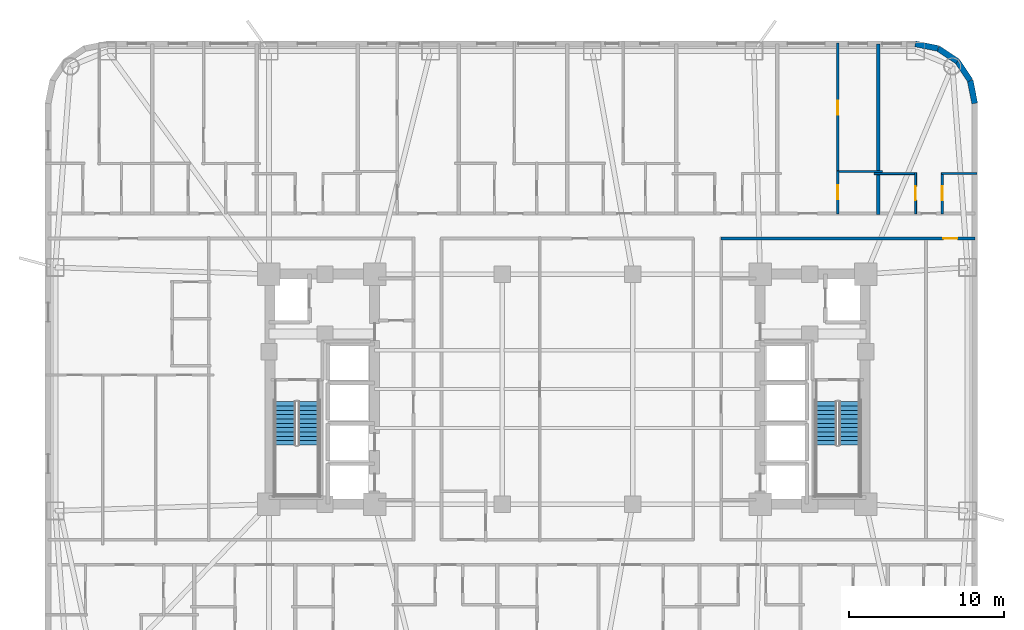
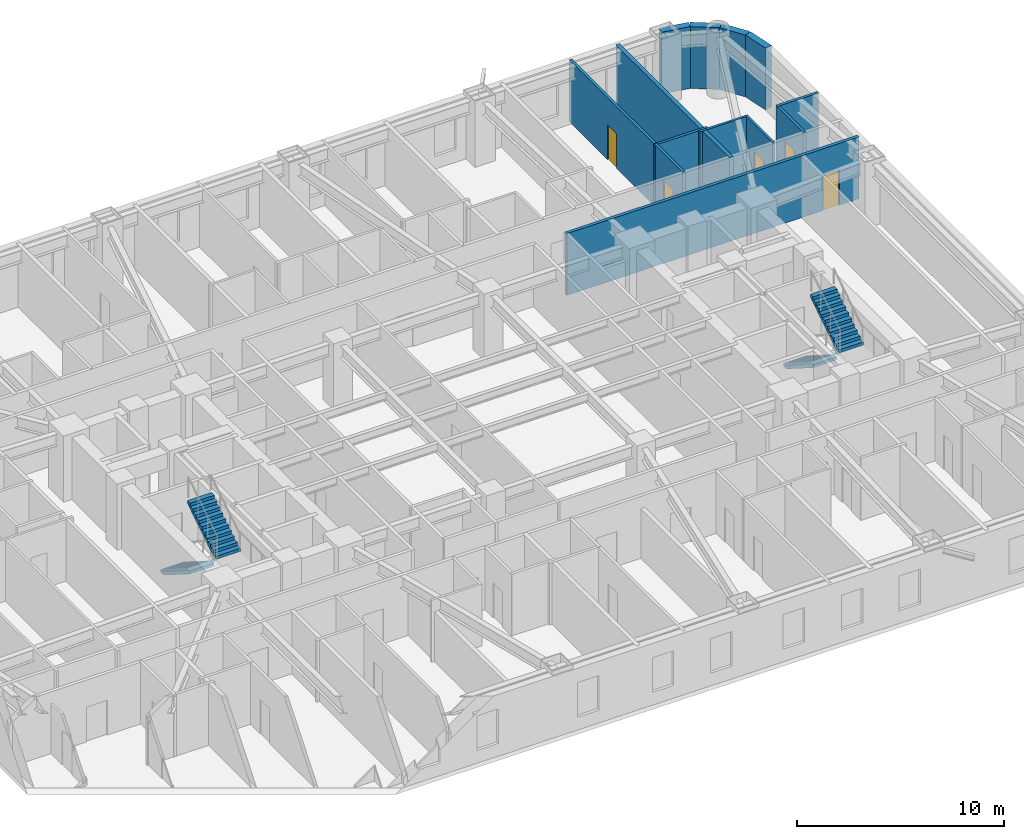
# One storey, part 9 of 11: 13 walls, 5 doors, 4 stair flights, 5 openings, 2 elements without a shape of their own.
"""IFC4 building model written with IfcOpenShell, lengths in metres."""

from ifc_helpers import new_model, si_unit, direction, frame, frame_2d, origin, place, context, subcontext, project, spatial, polyline, rectangle, outline, extrude, material, layer, layer_set, type_object, element, fill, aggregate, save


model = new_model("IFC4")

# Units and contexts
model_context = context("Model", 3, precision=1e-05, world=origin(), true_north=direction((0.0, 1.0)))
body_context = subcontext(model_context, "Body", "Model", "MODEL_VIEW")
ifc_project = project(units=[si_unit("LENGTHUNIT", "METRE"), si_unit("AREAUNIT", "SQUARE_METRE"), si_unit("VOLUMEUNIT", "CUBIC_METRE"), si_unit("PLANEANGLEUNIT", "RADIAN"), si_unit("MASSUNIT", "GRAM", prefix="KILO")], contexts=[model_context])

# Site, building, storey
site_placement = place(None, origin())
site = spatial("IfcSite", under=ifc_project, at=site_placement, CompositionType="ELEMENT")
building_placement = place(site_placement, origin())
building = spatial("IfcBuilding", under=site, at=building_placement, Name="Voryun Gate Residences", CompositionType="ELEMENT")
storey_placement = place(building_placement, frame((0.0, 0.0, 49.39990234375)))
storey = spatial("IfcBuildingStorey", under=building, at=storey_placement, Name="L11", CompositionType="ELEMENT", Elevation=49.39990234375)

# Wall, opening, door
ifc_material_1 = material(Name="Gypsum acoustic fireboard")
ifc_layer_1 = layer(ifc_material_1, 0.179931640625, Name="W_CORR_RATED_180")
ifc_layer_set_1 = layer_set([ifc_layer_1], Name="Gypsum acoustic fireboard")
wall_type_1 = type_object("IfcWallType", Name="W_CORR_RATED_180", PredefinedType="PARTITIONING", material=ifc_layer_set_1)
wall_1_placement = place(storey_placement, frame((9.8798828125, 9.68994140625, 0.0), z_axis=(0.0, 0.0, 1.0), x_axis=(1.0, 0.0, 0.0)))
wall_1 = element("IfcWall", 1, at=wall_1_placement, inside=storey, type_object=wall_type_1, Name="Partition wall WP-L11-CWING-EN", PredefinedType="PARTITIONING", context=body_context, shape_type="SweptSolid", body=[
    extrude(rectangle(XDim=16.330078125, YDim=0.179931640625, at=frame_2d((8.1650390625, 0.0))), origin(), (0.0, 0.0, 1.0), 3.650146484375),
])
opening_1_placement = place(wall_1_placement, frame((14.315673828125, 0.0, 0.0)))
opening_1 = element("IfcOpeningElement", 2, at=opening_1_placement, cuts=wall_1, Name="Opening D-INT-2", PredefinedType="OPENING", context=body_context, shape_type="SweptSolid", body=[
    extrude(rectangle(XDim=0.89990234375, YDim=2.050048828125, at=frame_2d((0.449951171875, 1.02490234375))), frame((0.0, 0.099853515625, 0.0), z_axis=(0.0, -1.0, 0.0), x_axis=(1.0, 0.0, 0.0)), (0.0, 0.0, 1.0), 0.199951171875),
])
ifc_material_2 = material(Name="Architectural oak veneer")
door_type = type_object("IfcDoorType", Name="DR_INT_BATH_900", OperationType="NOTDEFINED", PredefinedType="DOOR", material=ifc_material_2)
door_1_placement = place(opening_1_placement, origin())
door_1 = element("IfcDoor", 3, at=door_1_placement, inside=storey, type_object=door_type, Name="Door DR-L11-EE1N", OperationType="SINGLE_SWING_LEFT", OverallHeight=2.050048828125, OverallWidth=0.89990234375, PredefinedType="DOOR", context=body_context, shape_type="SweptSolid", body=[
    extrude(rectangle(XDim=0.89990234375, YDim=2.050048828125, at=frame_2d((0.449951171875, 1.02490234375))), frame((0.0, 0.02490234375, 0.0), z_axis=(0.0, -1.0, 0.0), x_axis=(1.0, 0.0, 0.0)), (0.0, 0.0, 1.0), 0.050048828125),
])
fill(opening_1, door_1)

# Walls
ifc_material_3 = material(Name="Granite masonry", Category="masonry")
ifc_layer_2 = layer(ifc_material_3, 0.3798828125, Name="W_EXT_GRANITE_380")
ifc_layer_set_2 = layer_set([ifc_layer_2], Name="Granite masonry")
wall_type_2 = type_object("IfcWallType", Name="W_EXT_GRANITE_380", PredefinedType="ELEMENTEDWALL", material=ifc_layer_set_2)
wall_2_placement = place(storey_placement, frame((22.38134765625, 22.2099609375, 0.0), z_axis=(0.0, 0.0, 1.0), x_axis=(0.980786132421, -0.195086038585, 0.0)))
element("IfcWall", 4, at=wall_2_placement, inside=storey, type_object=wall_type_2, Name="Exterior wall WEXT-L11-12", PredefinedType="ELEMENTEDWALL", context=body_context, shape_type="SweptSolid", body=[
    extrude(rectangle(XDim=1.504150390625, YDim=0.3798828125, at=frame_2d((0.751953125, 0.0))), origin(), (0.0, 0.0, 1.0), 3.650146484375),
])
for number, where, z_axis, x_axis, name in (
    (5, (23.856689453125, 21.91650390625, 0.0), (0.0, 0.0, 1.0), (0.831392092774, -0.555686231674, 0.0), "Exterior wall WEXT-L11-13"),
    (6, (25.09130859375, 21.09130859375, 0.0), (0.0, 0.0, 1.0), (0.555686231674, -0.831392092774, 0.0), "Exterior wall WEXT-L11-14"),
):
    element("IfcWall", number, at=place(storey_placement, frame(where, z_axis=z_axis, x_axis=x_axis)), inside=storey, type_object=wall_type_2, Name=name, PredefinedType="ELEMENTEDWALL", context=body_context, shape_type="SweptSolid", body=[
        extrude(rectangle(XDim=1.485107421875, YDim=0.3798828125, at=frame_2d((0.74267578125, 0.0))), origin(), (0.0, 0.0, 1.0), 3.650146484375),
    ])
wall_3_placement = place(storey_placement, frame((25.91650390625, 19.856689453125, 0.0), z_axis=(0.0, 0.0, 1.0), x_axis=(0.195086038585, -0.980786132421, 0.0)))
element("IfcWall", 7, at=wall_3_placement, inside=storey, type_object=wall_type_2, Name="Exterior wall WEXT-L11-15", PredefinedType="ELEMENTEDWALL", context=body_context, shape_type="SweptSolid", body=[
    extrude(rectangle(XDim=1.504150390625, YDim=0.3798828125, at=frame_2d((0.751953125, 0.0))), origin(), (0.0, 0.0, 1.0), 3.650146484375),
])
ifc_material_4 = material(Name="Concrete C40/50", Category="concrete")
ifc_layer_3 = layer(ifc_material_4, 0.219970703125, Name="W_PARTY_ACOUSTIC_220")
ifc_layer_set_3 = layer_set([ifc_layer_3], Name="Concrete C40/50")
wall_type_3 = type_object("IfcWallType", Name="W_PARTY_ACOUSTIC_220", PredefinedType="PARTITIONING", material=ifc_layer_set_3)
wall_4_placement = place(storey_placement, frame((20.0, 11.219970703125, 0.0), z_axis=(0.0, 0.0, 1.0), x_axis=(0.0, 1.0, 0.0)))
element("IfcWall", 8, at=wall_4_placement, inside=storey, type_object=wall_type_3, Name="Partition wall WP-L11-NPTY-8", PredefinedType="PARTITIONING", context=body_context, shape_type="SweptSolid", body=[
    extrude(rectangle(XDim=10.989990234375, YDim=0.219970703125, at=frame_2d((5.4951171875, 0.0))), origin(), (0.0, 0.0, 1.0), 3.650146484375),
])

# Wall, opening, door
ifc_material_5 = material(Name="Gypsum acoustic partition")
ifc_layer_4 = layer(ifc_material_5, 0.125, Name="W_UNIT_PART_125")
ifc_layer_set_4 = layer_set([ifc_layer_4], Name="Gypsum acoustic partition")
wall_type_4 = type_object("IfcWallType", Name="W_UNIT_PART_125", PredefinedType="PARTITIONING", material=ifc_layer_set_4)
wall_5_placement = place(storey_placement, frame((22.39990234375, 11.280029296875, 0.0), z_axis=(0.0, 0.0, 1.0), x_axis=(0.0, 1.0, 0.0)))
wall_5 = element("IfcWall", 9, at=wall_5_placement, inside=storey, type_object=wall_type_4, Name="Partition wall WP-L11-N9-CVK", PredefinedType="PARTITIONING", context=body_context, shape_type="SweptSolid", body=[
    extrude(rectangle(XDim=2.64990234375, YDim=0.125, at=frame_2d((1.324951171875, 0.0))), origin(), (0.0, 0.0, 1.0), 3.650146484375),
])
opening_2_placement = place(wall_5_placement, frame((0.875, 0.0, 0.0)))
opening_2 = element("IfcOpeningElement", 10, at=opening_2_placement, cuts=wall_5, Name="Opening D-INT-2", PredefinedType="OPENING", context=body_context, shape_type="SweptSolid", body=[
    extrude(rectangle(XDim=0.89990234375, YDim=2.050048828125, at=frame_2d((0.449951171875, 1.02490234375))), frame((0.0, 0.072509765625, 0.0), z_axis=(0.0, -1.0, 0.0), x_axis=(1.0, 0.0, 0.0)), (0.0, 0.0, 1.0), 0.14501953125),
])
door_2_placement = place(opening_2_placement, origin())
door_2 = element("IfcDoor", 11, at=door_2_placement, inside=storey, type_object=door_type, Name="Door DR-L11-N9-DK", OperationType="SINGLE_SWING_LEFT", OverallHeight=2.050048828125, OverallWidth=0.89990234375, PredefinedType="DOOR", context=body_context, shape_type="SweptSolid", body=[
    extrude(rectangle(XDim=0.89990234375, YDim=2.050048828125, at=frame_2d((0.449951171875, 1.02490234375))), frame((0.0, 0.02490234375, 0.0), z_axis=(0.0, -1.0, 0.0), x_axis=(1.0, 0.0, 0.0)), (0.0, 0.0, 1.0), 0.050048828125),
])
fill(opening_2, door_2)

# Walls
wall_6_placement = place(storey_placement, frame((19.739990234375, 13.8701171875, 0.0), z_axis=(0.0, 0.0, 1.0), x_axis=(1.0, 0.0, 0.0)))
element("IfcWall", 12, at=wall_6_placement, inside=storey, type_object=wall_type_4, Name="Partition wall WP-L11-N9-CHK", PredefinedType="PARTITIONING", context=body_context, shape_type="SweptSolid", body=[
    extrude(rectangle(XDim=2.719970703125, YDim=0.125, at=frame_2d((1.35986328125, 0.0))), origin(), (0.0, 0.0, 1.0), 3.650146484375),
])
ifc_material_6 = material(Name="Gypsum moisture-resistant partition")
ifc_layer_5 = layer(ifc_material_6, 0.14990234375, Name="W_WET_PLUMB_150")
ifc_layer_set_5 = layer_set([ifc_layer_5], Name="Gypsum moisture-resistant partition")
wall_type_5 = type_object("IfcWallType", Name="W_WET_PLUMB_150", PredefinedType="PLUMBINGWALL", material=ifc_layer_set_5)
wall_7_placement = place(storey_placement, frame((17.31005859375, 14.0, 0.0), z_axis=(0.0, 0.0, 1.0), x_axis=(1.0, 0.0, 0.0)))
element("IfcWall", 13, at=wall_7_placement, inside=storey, type_object=wall_type_5, Name="Partition wall WP-L11-N8-SKB", PredefinedType="PLUMBINGWALL", context=body_context, shape_type="SweptSolid", body=[
    extrude(rectangle(XDim=2.949951171875, YDim=0.14990234375, at=frame_2d((1.47509765625, 0.0))), origin(), (0.0, 0.0, 1.0), 3.650146484375),
])

# Wall, opening, door
wall_8_placement = place(storey_placement, frame((17.389892578125, 11.280029296875, 0.0), z_axis=(0.0, 0.0, 1.0), x_axis=(0.0, 1.0, 0.0)))
wall_8 = element("IfcWall", 14, at=wall_8_placement, inside=storey, type_object=wall_type_5, Name="Partition wall WP-L11-N8-SVT1", PredefinedType="PLUMBINGWALL", context=body_context, shape_type="SweptSolid", body=[
    extrude(rectangle(XDim=2.760009765625, YDim=0.14990234375, at=frame_2d((1.3798828125, 0.0))), origin(), (0.0, 0.0, 1.0), 3.650146484375),
])
opening_3_placement = place(wall_8_placement, frame((0.929931640625, 0.0, 0.0)))
opening_3 = element("IfcOpeningElement", 15, at=opening_3_placement, cuts=wall_8, Name="Opening D-INT-2", PredefinedType="OPENING", context=body_context, shape_type="SweptSolid", body=[
    extrude(rectangle(XDim=0.89990234375, YDim=2.050048828125, at=frame_2d((0.449951171875, 1.02490234375))), frame((0.0, 0.0849609375, 0.0), z_axis=(0.0, -1.0, 0.0), x_axis=(1.0, 0.0, 0.0)), (0.0, 0.0, 1.0), 0.169921875),
])
door_3_placement = place(opening_3_placement, origin())
door_3 = element("IfcDoor", 16, at=door_3_placement, inside=storey, type_object=door_type, Name="Door DR-L11-N8-DB", OperationType="SINGLE_SWING_LEFT", OverallHeight=2.050048828125, OverallWidth=0.89990234375, PredefinedType="DOOR", context=body_context, shape_type="SweptSolid", body=[
    extrude(rectangle(XDim=0.89990234375, YDim=2.050048828125, at=frame_2d((0.449951171875, 1.02490234375))), frame((0.0, 0.02490234375, 0.0), z_axis=(0.0, -1.0, 0.0), x_axis=(1.0, 0.0, 0.0)), (0.0, 0.0, 1.0), 0.050048828125),
])
fill(opening_3, door_3)

wall_9_placement = place(storey_placement, frame((17.389892578125, 13.9599609375, 0.0), z_axis=(0.0, 0.0, 1.0), x_axis=(0.0, 1.0, 0.0)))
wall_9 = element("IfcWall", 17, at=wall_9_placement, inside=storey, type_object=wall_type_5, Name="Partition wall WP-L11-N8-SVT2", PredefinedType="PLUMBINGWALL", context=body_context, shape_type="SweptSolid", body=[
    extrude(rectangle(XDim=8.297607421875, YDim=0.14990234375, at=frame_2d((4.14892578125, 0.0))), origin(), (0.0, 0.0, 1.0), 3.650146484375),
])
opening_4_placement = place(wall_9_placement, frame((3.69873046875, 0.0, 0.0)))
opening_4 = element("IfcOpeningElement", 18, at=opening_4_placement, cuts=wall_9, Name="Opening D-INT-2", PredefinedType="OPENING", context=body_context, shape_type="SweptSolid", body=[
    extrude(rectangle(XDim=0.89990234375, YDim=2.050048828125, at=frame_2d((0.449951171875, 1.02490234375))), frame((0.0, 0.0849609375, 0.0), z_axis=(0.0, -1.0, 0.0), x_axis=(1.0, 0.0, 0.0)), (0.0, 0.0, 1.0), 0.169921875),
])
door_4_placement = place(opening_4_placement, origin())
door_4 = element("IfcDoor", 19, at=door_4_placement, inside=storey, type_object=door_type, Name="Door DR-L11-N8-DK", OperationType="SINGLE_SWING_RIGHT", OverallHeight=2.050048828125, OverallWidth=0.89990234375, PredefinedType="DOOR", context=body_context, shape_type="SweptSolid", body=[
    extrude(rectangle(XDim=0.89990234375, YDim=2.050048828125, at=frame_2d((0.449951171875, 1.02490234375))), frame((0.0, 0.02490234375, 0.0), z_axis=(0.0, -1.0, 0.0), x_axis=(1.0, 0.0, 0.0)), (0.0, 0.0, 1.0), 0.050048828125),
])
fill(opening_4, door_4)

wall_10_placement = place(storey_placement, frame((24.1240234375, 11.280029296875, 0.0), z_axis=(0.0, 0.0, 1.0), x_axis=(0.0, 1.0, 0.0)))
wall_10 = element("IfcWall", 20, at=wall_10_placement, inside=storey, type_object=wall_type_5, Name="Partition wall WP-L11-N9-CVB", PredefinedType="PLUMBINGWALL", context=body_context, shape_type="SweptSolid", body=[
    extrude(rectangle(XDim=2.64990234375, YDim=0.14990234375, at=frame_2d((1.324951171875, 0.0))), origin(), (0.0, 0.0, 1.0), 3.650146484375),
])
opening_5_placement = place(wall_10_placement, frame((0.875, 0.0, 0.0)))
opening_5 = element("IfcOpeningElement", 21, at=opening_5_placement, cuts=wall_10, Name="Opening D-INT-2", PredefinedType="OPENING", context=body_context, shape_type="SweptSolid", body=[
    extrude(rectangle(XDim=0.89990234375, YDim=2.050048828125, at=frame_2d((0.449951171875, 1.02490234375))), frame((0.0, 0.0849609375, 0.0), z_axis=(0.0, -1.0, 0.0), x_axis=(1.0, 0.0, 0.0)), (0.0, 0.0, 1.0), 0.169921875),
])
door_5_placement = place(opening_5_placement, origin())
door_5 = element("IfcDoor", 22, at=door_5_placement, inside=storey, type_object=door_type, Name="Door DR-L11-N9-DB", OperationType="SINGLE_SWING_RIGHT", OverallHeight=2.050048828125, OverallWidth=0.89990234375, PredefinedType="DOOR", context=body_context, shape_type="SweptSolid", body=[
    extrude(rectangle(XDim=0.89990234375, YDim=2.050048828125, at=frame_2d((0.449951171875, 1.02490234375))), frame((0.0, 0.02490234375, 0.0), z_axis=(0.0, -1.0, 0.0), x_axis=(1.0, 0.0, 0.0)), (0.0, 0.0, 1.0), 0.050048828125),
])
fill(opening_5, door_5)

# Wall
wall_11_placement = place(storey_placement, frame((24.06396484375, 13.8701171875, 0.0), z_axis=(0.0, 0.0, 1.0), x_axis=(1.0, 0.0, 0.0)))
element("IfcWall", 23, at=wall_11_placement, inside=storey, type_object=wall_type_5, Name="Partition wall WP-L11-N9-CHB", PredefinedType="PLUMBINGWALL", context=body_context, shape_type="SweptSolid", body=[
    extrude(rectangle(XDim=2.296142578125, YDim=0.14990234375, at=frame_2d((1.14794921875, 0.0))), origin(), (0.0, 0.0, 1.0), 3.650146484375),
])

# Stair, stair flights
ifc_material_7 = material(Name="Concrete C40/50", Category="concrete")
stair_type = type_object("IfcStairType", Name="STR_CORE_DOGLEG_1350", PredefinedType="HALF_TURN_STAIR", material=ifc_material_7)
stair_1_placement = place(storey_placement, origin())
stair_1 = element("IfcStair", 24, at=stair_1_placement, inside=storey, type_object=stair_type, Name="L11 Special Escape Stair ST-W1", PredefinedType="HALF_TURN_STAIR")
ifc_material_8 = material(Name="Concrete C40/50", Category="concrete")
stair_flight_type = type_object("IfcStairFlightType", Name="FLT_CORE_1350", PredefinedType="STRAIGHT", material=ifc_material_8)
stair_flight_1_placement = place(storey_placement, frame((-18.14990234375, -0.800048828125, 0.0), z_axis=(0.0, 0.0, 1.0), x_axis=(0.0, -1.0, 0.0)))
stair_flight_1 = element("IfcStairFlight", 25, at=stair_flight_1_placement, type_object=stair_flight_type, Name="ST-W1 flight 1", NumberOfRisers=11, NumberOfTreads=10, PredefinedType="STRAIGHT", RiserHeight=0.177272727, TreadLength=0.28, context=body_context, shape_type="SweptSolid", body=[
    extrude(outline(polyline([(0.0, 0.0), (0.0, 0.17724609375), (0.280029296875, 0.17724609375), (0.280029296875, 0.3544921875), (0.56005859375, 0.3544921875), (0.56005859375, 0.53173828125), (0.840087890625, 0.53173828125), (0.840087890625, 0.708984375), (1.1201171875, 0.708984375), (1.1201171875, 0.886474609375), (1.39990234375, 0.886474609375), (1.39990234375, 1.063720703125), (1.679931640625, 1.063720703125), (1.679931640625, 1.240966796875), (1.9599609375, 1.240966796875), (1.9599609375, 1.418212890625), (2.239990234375, 1.418212890625), (2.239990234375, 1.595458984375), (2.52001953125, 1.595458984375), (2.52001953125, 1.772705078125), (2.800048828125, 1.772705078125), (2.800048828125, 1.949951171875), (2.800048828125, 1.59521484375), (0.2802734375, 0.0), (0.0, 0.0)])), frame((0.0, 0.675048828125, 0.0), z_axis=(0.0, -1.0, 0.0), x_axis=(1.0, 0.0, 0.0)), (0.0, 0.0, 1.0), 1.35009765625),
])
stair_flight_2_placement = place(storey_placement, frame((-16.64990234375, -3.60009765625, 1.9501953125), z_axis=(0.0, 0.0, 1.0), x_axis=(0.0, 1.0, 0.0)))
stair_flight_2 = element("IfcStairFlight", 26, at=stair_flight_2_placement, type_object=stair_flight_type, Name="ST-W1 flight 2", NumberOfRisers=11, NumberOfTreads=10, PredefinedType="STRAIGHT", RiserHeight=0.177272727, TreadLength=0.28, context=body_context, shape_type="SweptSolid", body=[
    extrude(outline(polyline([(0.0, 0.0), (0.0, 0.17724609375), (0.280029296875, 0.17724609375), (0.280029296875, 0.3544921875), (0.56005859375, 0.3544921875), (0.56005859375, 0.53173828125), (0.840087890625, 0.53173828125), (0.840087890625, 0.708984375), (1.1201171875, 0.708984375), (1.1201171875, 0.886474609375), (1.39990234375, 0.886474609375), (1.39990234375, 1.063720703125), (1.679931640625, 1.063720703125), (1.679931640625, 1.240966796875), (1.9599609375, 1.240966796875), (1.9599609375, 1.418212890625), (2.239990234375, 1.418212890625), (2.239990234375, 1.595458984375), (2.52001953125, 1.595458984375), (2.52001953125, 1.772705078125), (2.800048828125, 1.772705078125), (2.800048828125, 1.949951171875), (2.800048828125, 1.59521484375), (0.2802734375, 0.0), (0.0, 0.0)])), frame((0.0, 0.675048828125, 0.0), z_axis=(0.0, -1.0, 0.0), x_axis=(1.0, 0.0, 0.0)), (0.0, 0.0, 1.0), 1.35009765625),
])
aggregate(stair_1, [stair_flight_1, stair_flight_2])

stair_2_placement = place(storey_placement, origin())
stair_2 = element("IfcStair", 27, at=stair_2_placement, inside=storey, type_object=stair_type, Name="L11 Special Escape Stair ST-E1", PredefinedType="HALF_TURN_STAIR")
stair_flight_3_placement = place(storey_placement, frame((16.64990234375, -0.800048828125, 0.0), z_axis=(0.0, 0.0, 1.0), x_axis=(0.0, -1.0, 0.0)))
stair_flight_3 = element("IfcStairFlight", 28, at=stair_flight_3_placement, type_object=stair_flight_type, Name="ST-E1 flight 1", NumberOfRisers=11, NumberOfTreads=10, PredefinedType="STRAIGHT", RiserHeight=0.177272727, TreadLength=0.28, context=body_context, shape_type="SweptSolid", body=[
    extrude(outline(polyline([(0.0, 0.0), (0.0, 0.17724609375), (0.280029296875, 0.17724609375), (0.280029296875, 0.3544921875), (0.56005859375, 0.3544921875), (0.56005859375, 0.53173828125), (0.840087890625, 0.53173828125), (0.840087890625, 0.708984375), (1.1201171875, 0.708984375), (1.1201171875, 0.886474609375), (1.39990234375, 0.886474609375), (1.39990234375, 1.063720703125), (1.679931640625, 1.063720703125), (1.679931640625, 1.240966796875), (1.9599609375, 1.240966796875), (1.9599609375, 1.418212890625), (2.239990234375, 1.418212890625), (2.239990234375, 1.595458984375), (2.52001953125, 1.595458984375), (2.52001953125, 1.772705078125), (2.800048828125, 1.772705078125), (2.800048828125, 1.949951171875), (2.800048828125, 1.59521484375), (0.2802734375, 0.0), (0.0, 0.0)])), frame((0.0, 0.675048828125, 0.0), z_axis=(0.0, -1.0, 0.0), x_axis=(1.0, 0.0, 0.0)), (0.0, 0.0, 1.0), 1.35009765625),
])
stair_flight_4_placement = place(storey_placement, frame((18.14990234375, -3.60009765625, 1.9501953125), z_axis=(0.0, 0.0, 1.0), x_axis=(0.0, 1.0, 0.0)))
stair_flight_4 = element("IfcStairFlight", 29, at=stair_flight_4_placement, type_object=stair_flight_type, Name="ST-E1 flight 2", NumberOfRisers=11, NumberOfTreads=10, PredefinedType="STRAIGHT", RiserHeight=0.177272727, TreadLength=0.28, context=body_context, shape_type="SweptSolid", body=[
    extrude(outline(polyline([(0.0, 0.0), (0.0, 0.17724609375), (0.280029296875, 0.17724609375), (0.280029296875, 0.3544921875), (0.56005859375, 0.3544921875), (0.56005859375, 0.53173828125), (0.840087890625, 0.53173828125), (0.840087890625, 0.708984375), (1.1201171875, 0.708984375), (1.1201171875, 0.886474609375), (1.39990234375, 0.886474609375), (1.39990234375, 1.063720703125), (1.679931640625, 1.063720703125), (1.679931640625, 1.240966796875), (1.9599609375, 1.240966796875), (1.9599609375, 1.418212890625), (2.239990234375, 1.418212890625), (2.239990234375, 1.595458984375), (2.52001953125, 1.595458984375), (2.52001953125, 1.772705078125), (2.800048828125, 1.772705078125), (2.800048828125, 1.949951171875), (2.800048828125, 1.59521484375), (0.2802734375, 0.0), (0.0, 0.0)])), frame((0.0, 0.675048828125, 0.0), z_axis=(0.0, -1.0, 0.0), x_axis=(1.0, 0.0, 0.0)), (0.0, 0.0, 1.0), 1.35009765625),
])
aggregate(stair_2, [stair_flight_3, stair_flight_4])

save(model, "model.ifc")
